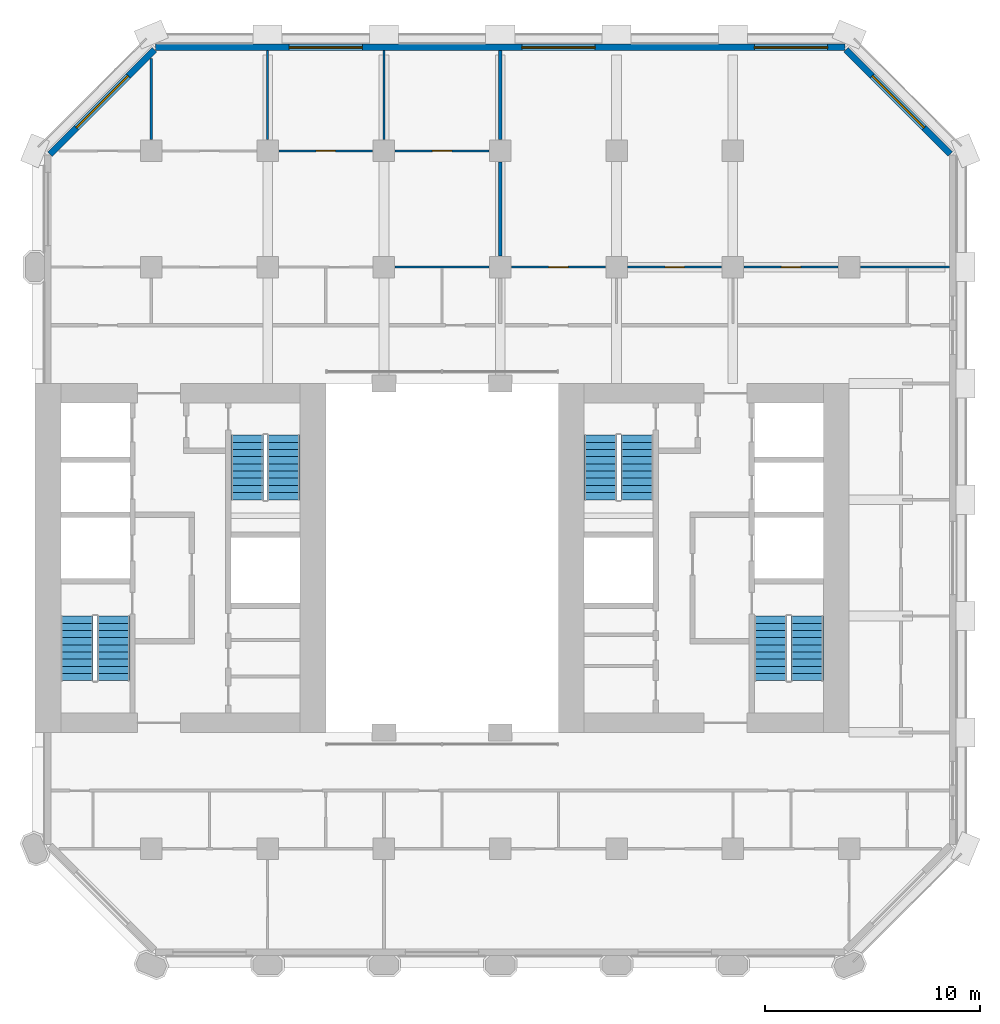
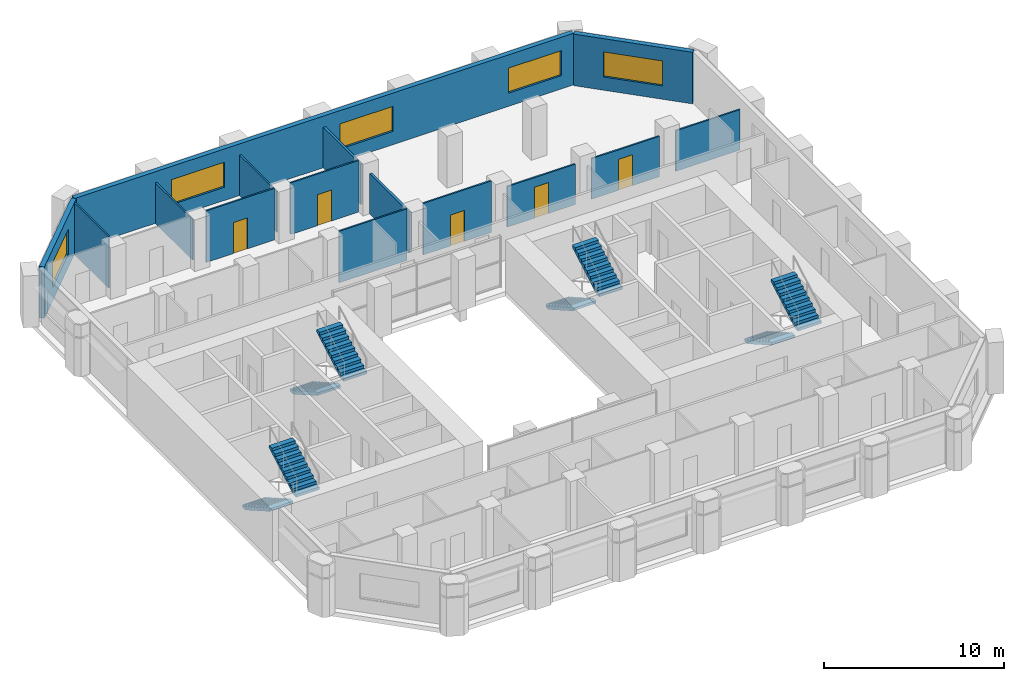
# One storey, part 7 of 10: 15 walls, 8 stair flights, 5 doors, 5 windows, 10 openings, 4 elements without a shape of their own.
"""IFC4 building model written with IfcOpenShell, lengths in metres."""

from ifc_helpers import new_model, si_unit, direction, frame, frame_2d, origin, place, context, subcontext, project, spatial, polyline, rectangle, outline, extrude, material, layer, layer_set, type_object, element, fill, aggregate, save


model = new_model("IFC4")

# Units and contexts
model_context = context("Model", 3, precision=1e-05, world=origin(), true_north=direction((0.0, 1.0)))
body_context = subcontext(model_context, "Body", "Model", "MODEL_VIEW")
ifc_project = project(units=[si_unit("LENGTHUNIT", "METRE"), si_unit("AREAUNIT", "SQUARE_METRE"), si_unit("VOLUMEUNIT", "CUBIC_METRE"), si_unit("PLANEANGLEUNIT", "RADIAN"), si_unit("MASSUNIT", "GRAM", prefix="KILO")], contexts=[model_context])

# Site, building, storey
site_placement = place(None, origin())
site = spatial("IfcSite", under=ifc_project, at=site_placement, CompositionType="ELEMENT")
building_placement = place(site_placement, origin())
building = spatial("IfcBuilding", under=site, at=building_placement, Name="Tabaq Tower and Sports Hall", CompositionType="ELEMENT")
storey_placement = place(building_placement, frame((0.0, 0.0, 87.800048828125)))
storey = spatial("IfcBuildingStorey", under=building, at=storey_placement, Name="L20", CompositionType="ELEMENT", Elevation=87.800048828125)

# Wall
ifc_material_1 = material(Name="Gypsum board on steel studs", Category="steel")
ifc_layer_1 = layer(ifc_material_1, 0.10009765625)
ifc_layer_set_1 = layer_set([ifc_layer_1], Name="Partition 100 Gypsum board")
wall_type_1 = type_object("IfcWallType", Name="Partition 100 Gypsum board", PredefinedType="PARTITIONING", material=ifc_layer_set_1)
wall_1_placement = place(storey_placement, frame((26.47998046875, 37.800048828125, 0.0), z_axis=(0.0, 0.0, 1.0), x_axis=(-1.0, 0.0, 0.0)))
element("IfcWall", 1, at=wall_1_placement, inside=storey, type_object=wall_type_1, Name="Partition wall L20", PredefinedType="PARTITIONING", context=body_context, shape_type="SweptSolid", body=[
    extrude(rectangle(XDim=4.35986328125, YDim=0.10009765625, at=frame_2d((2.179931640625, 0.0))), origin(), (0.0, 0.0, 1.0), 3.5),
])

# Wall, opening, door
wall_2_placement = place(storey_placement, frame((26.47998046875, 43.199951171875, 0.0), z_axis=(0.0, 0.0, 1.0), x_axis=(-1.0, 0.0, 0.0)))
wall_2 = element("IfcWall", 2, at=wall_2_placement, inside=storey, type_object=wall_type_1, Name="Partition wall L20", PredefinedType="PARTITIONING", context=body_context, shape_type="SweptSolid", body=[
    extrude(rectangle(XDim=4.35986328125, YDim=0.10009765625, at=frame_2d((2.179931640625, 0.0))), origin(), (0.0, 0.0, 1.0), 3.5),
])
opening_1_placement = place(wall_2_placement, frame((1.72998046875, 0.0, 0.0)))
opening_1 = element("IfcOpeningElement", 3, at=opening_1_placement, cuts=wall_2, Name="Opening L20-014", PredefinedType="OPENING", context=body_context, shape_type="SweptSolid", body=[
    extrude(rectangle(XDim=0.89990234375, YDim=2.10009765625, at=frame_2d((0.449951171875, 1.050048828125))), frame((0.0, 0.050048828125, 0.0), z_axis=(0.0, -1.0, 0.0), x_axis=(1.0, 0.0, 0.0)), (0.0, 0.0, 1.0), 0.10009765625),
])
ifc_material_2 = material(Name="Timber leaf in steel frame", Category="steel")
door_type_1 = type_object("IfcDoorType", Name="Internal door 900 right hand", OperationType="SINGLE_SWING_RIGHT", PredefinedType="DOOR", material=ifc_material_2)
door_1_placement = place(opening_1_placement, origin())
door_1 = element("IfcDoor", 4, at=door_1_placement, inside=storey, type_object=door_type_1, Name="Internal door L20-014", OperationType="SINGLE_SWING_RIGHT", OverallHeight=2.10009765625, OverallWidth=0.89990234375, PredefinedType="DOOR", context=body_context, shape_type="SweptSolid", body=[
    extrude(rectangle(XDim=0.89990234375, YDim=2.10009765625, at=frame_2d((0.449951171875, 1.050048828125))), frame((0.0, 0.02490234375, 0.0), z_axis=(0.0, -1.0, 0.0), x_axis=(1.0, 0.0, 0.0)), (0.0, 0.0, 1.0), 0.050048828125),
])
fill(opening_1, door_1)

wall_3_placement = place(storey_placement, frame((21.080078125, 43.199951171875, 0.0), z_axis=(0.0, 0.0, 1.0), x_axis=(-1.0, 0.0, 0.0)))
wall_3 = element("IfcWall", 5, at=wall_3_placement, inside=storey, type_object=wall_type_1, Name="Partition wall L20", PredefinedType="PARTITIONING", context=body_context, shape_type="SweptSolid", body=[
    extrude(rectangle(XDim=4.360107421875, YDim=0.10009765625, at=frame_2d((2.18017578125, 0.0))), origin(), (0.0, 0.0, 1.0), 3.5),
])
opening_2_placement = place(wall_3_placement, frame((1.72998046875, 0.0, 0.0)))
opening_2 = element("IfcOpeningElement", 6, at=opening_2_placement, cuts=wall_3, Name="Opening L20-013", PredefinedType="OPENING", context=body_context, shape_type="SweptSolid", body=[
    extrude(rectangle(XDim=0.89990234375, YDim=2.10009765625, at=frame_2d((0.449951171875, 1.050048828125))), frame((0.0, 0.050048828125, 0.0), z_axis=(0.0, -1.0, 0.0), x_axis=(1.0, 0.0, 0.0)), (0.0, 0.0, 1.0), 0.10009765625),
])
door_2_placement = place(opening_2_placement, origin())
door_2 = element("IfcDoor", 7, at=door_2_placement, inside=storey, type_object=door_type_1, Name="Internal door L20-013", OperationType="SINGLE_SWING_RIGHT", OverallHeight=2.10009765625, OverallWidth=0.89990234375, PredefinedType="DOOR", context=body_context, shape_type="SweptSolid", body=[
    extrude(rectangle(XDim=0.89990234375, YDim=2.10009765625, at=frame_2d((0.449951171875, 1.050048828125))), frame((0.0, 0.02490234375, 0.0), z_axis=(0.0, -1.0, 0.0), x_axis=(1.0, 0.0, 0.0)), (0.0, 0.0, 1.0), 0.050048828125),
])
fill(opening_2, door_2)

# Walls
wall_4_placement = place(storey_placement, frame((10.800048828125, 43.719970703125, 0.0), z_axis=(0.0, 0.0, 1.0), x_axis=(0.0, 1.0, 0.0)))
element("IfcWall", 8, at=wall_4_placement, inside=storey, type_object=wall_type_1, Name="Partition wall L20", PredefinedType="PARTITIONING", context=body_context, shape_type="SweptSolid", body=[
    extrude(rectangle(XDim=3.767822265625, YDim=0.10009765625, at=frame_2d((1.8837890625, 0.0))), origin(), (0.0, 0.0, 1.0), 3.5),
])
for number, where, z_axis, x_axis, name in (
    (9, (16.199951171875, 43.719970703125, 0.0), (0.0, 0.0, 1.0), (0.0, 1.0, 0.0), "Partition wall L20"),
    (10, (21.60009765625, 43.719970703125, 0.0), (0.0, 0.0, 1.0), (0.0, 1.0, 0.0), "Partition wall L20"),
):
    element("IfcWall", number, at=place(storey_placement, frame(where, z_axis=z_axis, x_axis=x_axis)), inside=storey, type_object=wall_type_1, Name=name, PredefinedType="PARTITIONING", context=body_context, shape_type="SweptSolid", body=[
        extrude(rectangle(XDim=4.129150390625, YDim=0.10009765625, at=frame_2d((2.064453125, 0.0))), origin(), (0.0, 0.0, 1.0), 2.75),
    ])

# Wall, opening, door
wall_5_placement = place(storey_placement, frame((31.8798828125, 37.800048828125, 0.0), z_axis=(0.0, 0.0, 1.0), x_axis=(-1.0, 0.0, 0.0)))
wall_5 = element("IfcWall", 11, at=wall_5_placement, inside=storey, type_object=wall_type_1, Name="Partition wall L20", PredefinedType="PARTITIONING", context=body_context, shape_type="SweptSolid", body=[
    extrude(rectangle(XDim=4.35986328125, YDim=0.10009765625, at=frame_2d((2.179931640625, 0.0))), origin(), (0.0, 0.0, 1.0), 3.5),
])
opening_3_placement = place(wall_5_placement, frame((1.72998046875, 0.0, 0.0)))
opening_3 = element("IfcOpeningElement", 12, at=opening_3_placement, cuts=wall_5, Name="Opening L20-027", PredefinedType="OPENING", context=body_context, shape_type="SweptSolid", body=[
    extrude(rectangle(XDim=0.89990234375, YDim=2.10009765625, at=frame_2d((0.449951171875, 1.050048828125))), frame((0.0, 0.050048828125, 0.0), z_axis=(0.0, -1.0, 0.0), x_axis=(1.0, 0.0, 0.0)), (0.0, 0.0, 1.0), 0.10009765625),
])
door_3_placement = place(opening_3_placement, origin())
door_3 = element("IfcDoor", 13, at=door_3_placement, inside=storey, type_object=door_type_1, Name="Internal door L20-027", OperationType="SINGLE_SWING_RIGHT", OverallHeight=2.10009765625, OverallWidth=0.89990234375, PredefinedType="DOOR", context=body_context, shape_type="SweptSolid", body=[
    extrude(rectangle(XDim=0.89990234375, YDim=2.10009765625, at=frame_2d((0.449951171875, 1.050048828125))), frame((0.0, 0.02490234375, 0.0), z_axis=(0.0, -1.0, 0.0), x_axis=(1.0, 0.0, 0.0)), (0.0, 0.0, 1.0), 0.050048828125),
])
fill(opening_3, door_3)

wall_6_placement = place(storey_placement, frame((37.280029296875, 37.800048828125, 0.0), z_axis=(0.0, 0.0, 1.0), x_axis=(-1.0, 0.0, 0.0)))
wall_6 = element("IfcWall", 14, at=wall_6_placement, inside=storey, type_object=wall_type_1, Name="Partition wall L20", PredefinedType="PARTITIONING", context=body_context, shape_type="SweptSolid", body=[
    extrude(rectangle(XDim=4.360107421875, YDim=0.10009765625, at=frame_2d((2.18017578125, 0.0))), origin(), (0.0, 0.0, 1.0), 2.75),
])
opening_4_placement = place(wall_6_placement, frame((1.72998046875, 0.0, 0.0)))
opening_4 = element("IfcOpeningElement", 15, at=opening_4_placement, cuts=wall_6, Name="Opening L20-015", PredefinedType="OPENING", context=body_context, shape_type="SweptSolid", body=[
    extrude(rectangle(XDim=0.89990234375, YDim=2.10009765625, at=frame_2d((0.449951171875, 1.050048828125))), frame((0.0, 0.050048828125, 0.0), z_axis=(0.0, -1.0, 0.0), x_axis=(1.0, 0.0, 0.0)), (0.0, 0.0, 1.0), 0.10009765625),
])
ifc_material_3 = material(Name="Timber leaf in steel frame", Category="steel")
door_type_2 = type_object("IfcDoorType", Name="Internal door 900 left hand", OperationType="SINGLE_SWING_LEFT", PredefinedType="DOOR", material=ifc_material_3)
door_4_placement = place(opening_4_placement, origin())
door_4 = element("IfcDoor", 16, at=door_4_placement, inside=storey, type_object=door_type_2, Name="Internal door L20-015", OperationType="SINGLE_SWING_LEFT", OverallHeight=2.10009765625, OverallWidth=0.89990234375, PredefinedType="DOOR", context=body_context, shape_type="SweptSolid", body=[
    extrude(rectangle(XDim=0.89990234375, YDim=2.10009765625, at=frame_2d((0.449951171875, 1.050048828125))), frame((0.0, 0.02490234375, 0.0), z_axis=(0.0, -1.0, 0.0), x_axis=(1.0, 0.0, 0.0)), (0.0, 0.0, 1.0), 0.050048828125),
])
fill(opening_4, door_4)

wall_7_placement = place(storey_placement, frame((42.679931640625, 37.800048828125, 0.0), z_axis=(0.0, 0.0, 1.0), x_axis=(-1.0, 0.0, 0.0)))
wall_7 = element("IfcWall", 17, at=wall_7_placement, inside=storey, type_object=wall_type_1, Name="Partition wall L20", PredefinedType="PARTITIONING", context=body_context, shape_type="SweptSolid", body=[
    extrude(rectangle(XDim=4.35986328125, YDim=0.10009765625, at=frame_2d((2.179931640625, 0.0))), origin(), (0.0, 0.0, 1.0), 2.75),
])
opening_5_placement = place(wall_7_placement, frame((1.72998046875, 0.0, 0.0)))
opening_5 = element("IfcOpeningElement", 18, at=opening_5_placement, cuts=wall_7, Name="Opening L20-016", PredefinedType="OPENING", context=body_context, shape_type="SweptSolid", body=[
    extrude(rectangle(XDim=0.89990234375, YDim=2.10009765625, at=frame_2d((0.449951171875, 1.050048828125))), frame((0.0, 0.050048828125, 0.0), z_axis=(0.0, -1.0, 0.0), x_axis=(1.0, 0.0, 0.0)), (0.0, 0.0, 1.0), 0.10009765625),
])
door_5_placement = place(opening_5_placement, origin())
door_5 = element("IfcDoor", 19, at=door_5_placement, inside=storey, type_object=door_type_2, Name="Internal door L20-016", OperationType="SINGLE_SWING_LEFT", OverallHeight=2.10009765625, OverallWidth=0.89990234375, PredefinedType="DOOR", context=body_context, shape_type="SweptSolid", body=[
    extrude(rectangle(XDim=0.89990234375, YDim=2.10009765625, at=frame_2d((0.449951171875, 1.050048828125))), frame((0.0, 0.02490234375, 0.0), z_axis=(0.0, -1.0, 0.0), x_axis=(1.0, 0.0, 0.0)), (0.0, 0.0, 1.0), 0.050048828125),
])
fill(opening_5, door_5)

# Walls
wall_8_placement = place(storey_placement, frame((47.84912109375, 37.800048828125, 0.0), z_axis=(0.0, 0.0, 1.0), x_axis=(-1.0, 0.0, 0.0)))
element("IfcWall", 20, at=wall_8_placement, inside=storey, type_object=wall_type_1, Name="Partition wall L20", PredefinedType="PARTITIONING", context=body_context, shape_type="SweptSolid", body=[
    extrude(rectangle(XDim=4.129150390625, YDim=0.10009765625, at=frame_2d((2.064453125, 0.0))), origin(), (0.0, 0.0, 1.0), 2.75),
])
ifc_material_4 = material(Name="Blockwork", Category="masonry")
ifc_layer_2 = layer(ifc_material_4, 0.14990234375)
ifc_layer_set_2 = layer_set([ifc_layer_2], Name="Separating wall 150 Blockwork")
wall_type_2 = type_object("IfcWallType", Name="Separating wall 150 Blockwork", PredefinedType="PARTITIONING", material=ifc_layer_set_2)
wall_9_placement = place(storey_placement, frame((27.0, 38.320068359375, 0.0), z_axis=(0.0, 0.0, 1.0), x_axis=(0.0, 1.0, 0.0)))
element("IfcWall", 21, at=wall_9_placement, inside=storey, type_object=wall_type_2, Name="Separating wall L20", PredefinedType="PARTITIONING", context=body_context, shape_type="SweptSolid", body=[
    extrude(rectangle(XDim=4.35986328125, YDim=0.14990234375, at=frame_2d((2.179931640625, 0.0))), origin(), (0.0, 0.0, 1.0), 2.75),
])
wall_10_placement = place(storey_placement, frame((27.0, 43.719970703125, 0.0), z_axis=(0.0, 0.0, 1.0), x_axis=(0.0, 1.0, 0.0)))
element("IfcWall", 22, at=wall_10_placement, inside=storey, type_object=wall_type_2, Name="Separating wall L20", PredefinedType="PARTITIONING", context=body_context, shape_type="SweptSolid", body=[
    extrude(rectangle(XDim=4.129150390625, YDim=0.14990234375, at=frame_2d((2.064453125, 0.0))), origin(), (0.0, 0.0, 1.0), 2.75),
])

# Wall, opening, window
ifc_material_5 = material(Name="White precast concrete C60/75", Category="concrete")
ifc_layer_3 = layer(ifc_material_5, 0.300048828125)
ifc_layer_set_3 = layer_set([ifc_layer_3], Name="White precast concrete C60/75 external wall 300")
wall_type_3 = type_object("IfcWallType", Name="White precast concrete C60/75 external wall 300", PredefinedType="SOLIDWALL", material=ifc_layer_set_3)
wall_11_placement = place(storey_placement, frame((47.901123046875, 43.050537109375, 0.0), z_axis=(0.0, 0.0, 1.0), x_axis=(-0.707106781187, 0.707106781187, 0.0)))
wall_11 = element("IfcWall", 23, at=wall_11_placement, inside=storey, type_object=wall_type_3, Name="External Wall L20 NE", PredefinedType="SOLIDWALL", context=body_context, shape_type="SweptSolid", body=[
    extrude(rectangle(XDim=6.85986328125, YDim=0.300048828125, at=frame_2d((3.429931640625, 0.0))), origin(), (0.0, 0.0, 1.0), 3.5),
])
opening_6_placement = place(wall_11_placement, frame((1.729736328125, 0.0, 0.89990234375)))
opening_6 = element("IfcOpeningElement", 24, at=opening_6_placement, cuts=wall_11, Name="Opening W1A", PredefinedType="OPENING", context=body_context, shape_type="SweptSolid", body=[
    extrude(rectangle(XDim=3.39990234375, YDim=1.699951171875, at=frame_2d((1.699951171875, 0.85009765625))), frame((0.0, 0.16015625, 0.0), z_axis=(0.0, -1.0, 0.0), x_axis=(1.0, 0.0, 0.0)), (0.0, 0.0, 1.0), 0.320068359375),
])
ifc_material_6 = material(Name="Aluminium framed clear glazing", Category="aluminium")
window_type = type_object("IfcWindowType", Name="Window W1A", PartitioningType="SINGLE_PANEL", PredefinedType="WINDOW", material=ifc_material_6)
window_1_placement = place(opening_6_placement, origin())
window_1 = element("IfcWindow", 25, at=window_1_placement, inside=storey, type_object=window_type, Name="Window W1A L20", OverallHeight=1.699951171875, OverallWidth=3.39990234375, PartitioningType="SINGLE_PANEL", PredefinedType="WINDOW", context=body_context, shape_type="SweptSolid", body=[
    extrude(rectangle(XDim=3.39990234375, YDim=1.699951171875, at=frame_2d((1.699951171875, 0.85009765625))), frame((0.0, 0.030029296875, 0.0), z_axis=(0.0, -1.0, 0.0), x_axis=(1.0, 0.0, 0.0)), (0.0, 0.0, 1.0), 0.06005859375),
])
fill(opening_6, window_1)

# Wall, openings, windows
wall_12_placement = place(storey_placement, frame((43.013671875, 48.0, 0.0), z_axis=(0.0, 0.0, 1.0), x_axis=(-1.0, 0.0, 0.0)))
wall_12 = element("IfcWall", 26, at=wall_12_placement, inside=storey, type_object=wall_type_3, Name="External Wall L20 N", PredefinedType="SOLIDWALL", context=body_context, shape_type="SweptSolid", body=[
    extrude(rectangle(XDim=32.02734375, YDim=0.300048828125, at=frame_2d((16.013671875, 0.0))), origin(), (0.0, 0.0, 1.0), 3.5),
])
opening_7_placement = place(wall_12_placement, frame((0.813720703125, 0.0, 0.89990234375)))
opening_7 = element("IfcOpeningElement", 27, at=opening_7_placement, cuts=wall_12, Name="Opening W1A", PredefinedType="OPENING", context=body_context, shape_type="SweptSolid", body=[
    extrude(rectangle(XDim=3.39990234375, YDim=1.699951171875, at=frame_2d((1.699951171875, 0.85009765625))), frame((0.0, 0.16015625, 0.0), z_axis=(0.0, -1.0, 0.0), x_axis=(1.0, 0.0, 0.0)), (0.0, 0.0, 1.0), 0.320068359375),
])
opening_8_placement = place(wall_12_placement, frame((11.613525390625, 0.0, 0.89990234375)))
opening_8 = element("IfcOpeningElement", 28, at=opening_8_placement, cuts=wall_12, Name="Opening W1A", PredefinedType="OPENING", context=body_context, shape_type="SweptSolid", body=[
    extrude(rectangle(XDim=3.39990234375, YDim=1.699951171875, at=frame_2d((1.699951171875, 0.85009765625))), frame((0.0, 0.16015625, 0.0), z_axis=(0.0, -1.0, 0.0), x_axis=(1.0, 0.0, 0.0)), (0.0, 0.0, 1.0), 0.320068359375),
])
opening_9_placement = place(wall_12_placement, frame((22.41357421875, 0.0, 0.89990234375)))
opening_9 = element("IfcOpeningElement", 29, at=opening_9_placement, cuts=wall_12, Name="Opening W1A", PredefinedType="OPENING", context=body_context, shape_type="SweptSolid", body=[
    extrude(rectangle(XDim=3.39990234375, YDim=1.699951171875, at=frame_2d((1.699951171875, 0.85009765625))), frame((0.0, 0.16015625, 0.0), z_axis=(0.0, -1.0, 0.0), x_axis=(1.0, 0.0, 0.0)), (0.0, 0.0, 1.0), 0.320068359375),
])
window_2_placement = place(opening_7_placement, origin())
window_2 = element("IfcWindow", 30, at=window_2_placement, inside=storey, type_object=window_type, Name="Window W1A L20", OverallHeight=1.699951171875, OverallWidth=3.39990234375, PartitioningType="SINGLE_PANEL", PredefinedType="WINDOW", context=body_context, shape_type="SweptSolid", body=[
    extrude(rectangle(XDim=3.39990234375, YDim=1.699951171875, at=frame_2d((1.699951171875, 0.85009765625))), frame((0.0, 0.030029296875, 0.0), z_axis=(0.0, -1.0, 0.0), x_axis=(1.0, 0.0, 0.0)), (0.0, 0.0, 1.0), 0.06005859375),
])
fill(opening_7, window_2)
window_3_placement = place(opening_8_placement, origin())
window_3 = element("IfcWindow", 31, at=window_3_placement, inside=storey, type_object=window_type, Name="Window W1A L20", OverallHeight=1.699951171875, OverallWidth=3.39990234375, PartitioningType="SINGLE_PANEL", PredefinedType="WINDOW", context=body_context, shape_type="SweptSolid", body=[
    extrude(rectangle(XDim=3.39990234375, YDim=1.699951171875, at=frame_2d((1.699951171875, 0.85009765625))), frame((0.0, 0.030029296875, 0.0), z_axis=(0.0, -1.0, 0.0), x_axis=(1.0, 0.0, 0.0)), (0.0, 0.0, 1.0), 0.06005859375),
])
fill(opening_8, window_3)
window_4_placement = place(opening_9_placement, origin())
window_4 = element("IfcWindow", 32, at=window_4_placement, inside=storey, type_object=window_type, Name="Window W1A L20", OverallHeight=1.699951171875, OverallWidth=3.39990234375, PartitioningType="SINGLE_PANEL", PredefinedType="WINDOW", context=body_context, shape_type="SweptSolid", body=[
    extrude(rectangle(XDim=3.39990234375, YDim=1.699951171875, at=frame_2d((1.699951171875, 0.85009765625))), frame((0.0, 0.030029296875, 0.0), z_axis=(0.0, -1.0, 0.0), x_axis=(1.0, 0.0, 0.0)), (0.0, 0.0, 1.0), 0.06005859375),
])
fill(opening_9, window_4)

# Wall, opening, window
wall_13_placement = place(storey_placement, frame((10.949462890625, 47.901123046875, 0.0), z_axis=(0.0, 0.0, 1.0), x_axis=(-0.707106781187, -0.707106781187, 0.0)))
wall_13 = element("IfcWall", 33, at=wall_13_placement, inside=storey, type_object=wall_type_3, Name="External Wall L20 NW", PredefinedType="SOLIDWALL", context=body_context, shape_type="SweptSolid", body=[
    extrude(rectangle(XDim=6.85986328125, YDim=0.300048828125, at=frame_2d((3.429931640625, 0.0))), origin(), (0.0, 0.0, 1.0), 3.5),
])
opening_10_placement = place(wall_13_placement, frame((1.729736328125, 0.0, 0.89990234375)))
opening_10 = element("IfcOpeningElement", 34, at=opening_10_placement, cuts=wall_13, Name="Opening W1A", PredefinedType="OPENING", context=body_context, shape_type="SweptSolid", body=[
    extrude(rectangle(XDim=3.39990234375, YDim=1.699951171875, at=frame_2d((1.699951171875, 0.85009765625))), frame((0.0, 0.16015625, 0.0), z_axis=(0.0, -1.0, 0.0), x_axis=(1.0, 0.0, 0.0)), (0.0, 0.0, 1.0), 0.320068359375),
])
window_5_placement = place(opening_10_placement, origin())
window_5 = element("IfcWindow", 35, at=window_5_placement, inside=storey, type_object=window_type, Name="Window W1A L20", OverallHeight=1.699951171875, OverallWidth=3.39990234375, PartitioningType="SINGLE_PANEL", PredefinedType="WINDOW", context=body_context, shape_type="SweptSolid", body=[
    extrude(rectangle(XDim=3.39990234375, YDim=1.699951171875, at=frame_2d((1.699951171875, 0.85009765625))), frame((0.0, 0.030029296875, 0.0), z_axis=(0.0, -1.0, 0.0), x_axis=(1.0, 0.0, 0.0)), (0.0, 0.0, 1.0), 0.06005859375),
])
fill(opening_10, window_5)

# Stair, stair flights
ifc_material_7 = material(Name="Concrete C40/50", Category="concrete")
stair_type = type_object("IfcStairType", Name="Exit stair", PredefinedType="HALF_TURN_STAIR", material=ifc_material_7)
stair_1_placement = place(storey_placement, origin())
stair_1 = element("IfcStair", 36, at=stair_1_placement, inside=storey, type_object=stair_type, Name="L20 Exit stair ST1", PredefinedType="HALF_TURN_STAIR")
ifc_material_8 = material(Name="Concrete C40/50", Category="concrete")
stair_flight_type = type_object("IfcStairFlightType", Name="Exit stair flight", PredefinedType="STRAIGHT", material=ifc_material_8)
stair_flight_1_placement = place(storey_placement, frame((7.35009765625, 21.60009765625, 0.0), z_axis=(0.0, 0.0, 1.0), x_axis=(0.0, -1.0, 0.0)))
stair_flight_1 = element("IfcStairFlight", 37, at=stair_flight_1_placement, type_object=stair_flight_type, Name="ST1 flight 1", NumberOfRisers=10, NumberOfTreads=9, PredefinedType="STRAIGHT", RiserHeight=0.19, TreadLength=0.333333333, context=body_context, shape_type="SweptSolid", body=[
    extrude(outline(polyline([(0.0, 0.0), (0.0, 0.18994140625), (0.333251953125, 0.18994140625), (0.333251953125, 0.3798828125), (0.666748046875, 0.3798828125), (0.666748046875, 0.570068359375), (1.0, 0.570068359375), (1.0, 0.760009765625), (1.333251953125, 0.760009765625), (1.333251953125, 0.949951171875), (1.666748046875, 0.949951171875), (1.666748046875, 1.139892578125), (2.0, 1.139892578125), (2.0, 1.330078125), (2.333251953125, 1.330078125), (2.333251953125, 1.52001953125), (2.666748046875, 1.52001953125), (2.666748046875, 1.7099609375), (3.0, 1.7099609375), (3.0, 1.89990234375), (3.0, 1.537353515625), (0.302734375, 0.0), (0.0, 0.0)])), frame((0.0, 0.75, 0.0), z_axis=(0.0, -1.0, 0.0), x_axis=(1.0, 0.0, 0.0)), (0.0, 0.0, 1.0), 1.5),
])
stair_flight_2_placement = place(storey_placement, frame((9.050048828125, 18.60009765625, 1.89990234375), z_axis=(0.0, 0.0, 1.0), x_axis=(0.0, 1.0, 0.0)))
stair_flight_2 = element("IfcStairFlight", 38, at=stair_flight_2_placement, type_object=stair_flight_type, Name="ST1 flight 2", NumberOfRisers=10, NumberOfTreads=9, PredefinedType="STRAIGHT", RiserHeight=0.19, TreadLength=0.333333333, context=body_context, shape_type="SweptSolid", body=[
    extrude(outline(polyline([(0.0, 0.0), (0.0, 0.18994140625), (0.333251953125, 0.18994140625), (0.333251953125, 0.3798828125), (0.666748046875, 0.3798828125), (0.666748046875, 0.570068359375), (1.0, 0.570068359375), (1.0, 0.760009765625), (1.333251953125, 0.760009765625), (1.333251953125, 0.949951171875), (1.666748046875, 0.949951171875), (1.666748046875, 1.139892578125), (2.0, 1.139892578125), (2.0, 1.330078125), (2.333251953125, 1.330078125), (2.333251953125, 1.52001953125), (2.666748046875, 1.52001953125), (2.666748046875, 1.7099609375), (3.0, 1.7099609375), (3.0, 1.89990234375), (3.0, 1.537353515625), (0.302734375, 0.0), (0.0, 0.0)])), frame((0.0, 0.75, 0.0), z_axis=(0.0, -1.0, 0.0), x_axis=(1.0, 0.0, 0.0)), (0.0, 0.0, 1.0), 1.5),
])
aggregate(stair_1, [stair_flight_1, stair_flight_2])

stair_2_placement = place(storey_placement, origin())
stair_2 = element("IfcStair", 39, at=stair_2_placement, inside=storey, type_object=stair_type, Name="L20 Exit stair ST2", PredefinedType="HALF_TURN_STAIR")
stair_flight_3_placement = place(storey_placement, frame((15.25, 30.0, 0.0), z_axis=(0.0, 0.0, 1.0), x_axis=(0.0, -1.0, 0.0)))
stair_flight_3 = element("IfcStairFlight", 40, at=stair_flight_3_placement, type_object=stair_flight_type, Name="ST2 flight 1", NumberOfRisers=10, NumberOfTreads=9, PredefinedType="STRAIGHT", RiserHeight=0.19, TreadLength=0.333333333, context=body_context, shape_type="SweptSolid", body=[
    extrude(outline(polyline([(0.0, 0.0), (0.0, 0.18994140625), (0.333251953125, 0.18994140625), (0.333251953125, 0.3798828125), (0.666748046875, 0.3798828125), (0.666748046875, 0.570068359375), (1.0, 0.570068359375), (1.0, 0.760009765625), (1.333251953125, 0.760009765625), (1.333251953125, 0.949951171875), (1.666748046875, 0.949951171875), (1.666748046875, 1.139892578125), (2.0, 1.139892578125), (2.0, 1.330078125), (2.333251953125, 1.330078125), (2.333251953125, 1.52001953125), (2.666748046875, 1.52001953125), (2.666748046875, 1.7099609375), (3.0, 1.7099609375), (3.0, 1.89990234375), (3.0, 1.537353515625), (0.302734375, 0.0), (0.0, 0.0)])), frame((0.0, 0.75, 0.0), z_axis=(0.0, -1.0, 0.0), x_axis=(1.0, 0.0, 0.0)), (0.0, 0.0, 1.0), 1.5),
])
stair_flight_4_placement = place(storey_placement, frame((16.949951171875, 27.0, 1.89990234375), z_axis=(0.0, 0.0, 1.0), x_axis=(0.0, 1.0, 0.0)))
stair_flight_4 = element("IfcStairFlight", 41, at=stair_flight_4_placement, type_object=stair_flight_type, Name="ST2 flight 2", NumberOfRisers=10, NumberOfTreads=9, PredefinedType="STRAIGHT", RiserHeight=0.19, TreadLength=0.333333333, context=body_context, shape_type="SweptSolid", body=[
    extrude(outline(polyline([(0.0, 0.0), (0.0, 0.18994140625), (0.333251953125, 0.18994140625), (0.333251953125, 0.3798828125), (0.666748046875, 0.3798828125), (0.666748046875, 0.570068359375), (1.0, 0.570068359375), (1.0, 0.760009765625), (1.333251953125, 0.760009765625), (1.333251953125, 0.949951171875), (1.666748046875, 0.949951171875), (1.666748046875, 1.139892578125), (2.0, 1.139892578125), (2.0, 1.330078125), (2.333251953125, 1.330078125), (2.333251953125, 1.52001953125), (2.666748046875, 1.52001953125), (2.666748046875, 1.7099609375), (3.0, 1.7099609375), (3.0, 1.89990234375), (3.0, 1.537353515625), (0.302734375, 0.0), (0.0, 0.0)])), frame((0.0, 0.75, 0.0), z_axis=(0.0, -1.0, 0.0), x_axis=(1.0, 0.0, 0.0)), (0.0, 0.0, 1.0), 1.5),
])
aggregate(stair_2, [stair_flight_3, stair_flight_4])

stair_3_placement = place(storey_placement, origin())
stair_3 = element("IfcStair", 42, at=stair_3_placement, inside=storey, type_object=stair_type, Name="L20 Exit stair ST3", PredefinedType="HALF_TURN_STAIR")
stair_flight_5_placement = place(storey_placement, frame((39.550048828125, 21.60009765625, 0.0), z_axis=(0.0, 0.0, 1.0), x_axis=(0.0, -1.0, 0.0)))
stair_flight_5 = element("IfcStairFlight", 43, at=stair_flight_5_placement, type_object=stair_flight_type, Name="ST3 flight 1", NumberOfRisers=10, NumberOfTreads=9, PredefinedType="STRAIGHT", RiserHeight=0.19, TreadLength=0.333333333, context=body_context, shape_type="SweptSolid", body=[
    extrude(outline(polyline([(0.0, 0.0), (0.0, 0.18994140625), (0.333251953125, 0.18994140625), (0.333251953125, 0.3798828125), (0.666748046875, 0.3798828125), (0.666748046875, 0.570068359375), (1.0, 0.570068359375), (1.0, 0.760009765625), (1.333251953125, 0.760009765625), (1.333251953125, 0.949951171875), (1.666748046875, 0.949951171875), (1.666748046875, 1.139892578125), (2.0, 1.139892578125), (2.0, 1.330078125), (2.333251953125, 1.330078125), (2.333251953125, 1.52001953125), (2.666748046875, 1.52001953125), (2.666748046875, 1.7099609375), (3.0, 1.7099609375), (3.0, 1.89990234375), (3.0, 1.537353515625), (0.302734375, 0.0), (0.0, 0.0)])), frame((0.0, 0.75, 0.0), z_axis=(0.0, -1.0, 0.0), x_axis=(1.0, 0.0, 0.0)), (0.0, 0.0, 1.0), 1.5),
])
stair_flight_6_placement = place(storey_placement, frame((41.25, 18.60009765625, 1.89990234375), z_axis=(0.0, 0.0, 1.0), x_axis=(0.0, 1.0, 0.0)))
stair_flight_6 = element("IfcStairFlight", 44, at=stair_flight_6_placement, type_object=stair_flight_type, Name="ST3 flight 2", NumberOfRisers=10, NumberOfTreads=9, PredefinedType="STRAIGHT", RiserHeight=0.19, TreadLength=0.333333333, context=body_context, shape_type="SweptSolid", body=[
    extrude(outline(polyline([(0.0, 0.0), (0.0, 0.18994140625), (0.333251953125, 0.18994140625), (0.333251953125, 0.3798828125), (0.666748046875, 0.3798828125), (0.666748046875, 0.570068359375), (1.0, 0.570068359375), (1.0, 0.760009765625), (1.333251953125, 0.760009765625), (1.333251953125, 0.949951171875), (1.666748046875, 0.949951171875), (1.666748046875, 1.139892578125), (2.0, 1.139892578125), (2.0, 1.330078125), (2.333251953125, 1.330078125), (2.333251953125, 1.52001953125), (2.666748046875, 1.52001953125), (2.666748046875, 1.7099609375), (3.0, 1.7099609375), (3.0, 1.89990234375), (3.0, 1.537353515625), (0.302734375, 0.0), (0.0, 0.0)])), frame((0.0, 0.75, 0.0), z_axis=(0.0, -1.0, 0.0), x_axis=(1.0, 0.0, 0.0)), (0.0, 0.0, 1.0), 1.5),
])
aggregate(stair_3, [stair_flight_5, stair_flight_6])

stair_4_placement = place(storey_placement, origin())
stair_4 = element("IfcStair", 45, at=stair_4_placement, inside=storey, type_object=stair_type, Name="L20 Exit stair ST4", PredefinedType="HALF_TURN_STAIR")
stair_flight_7_placement = place(storey_placement, frame((31.64990234375, 30.0, 0.0), z_axis=(0.0, 0.0, 1.0), x_axis=(0.0, -1.0, 0.0)))
stair_flight_7 = element("IfcStairFlight", 46, at=stair_flight_7_placement, type_object=stair_flight_type, Name="ST4 flight 1", NumberOfRisers=10, NumberOfTreads=9, PredefinedType="STRAIGHT", RiserHeight=0.19, TreadLength=0.333333333, context=body_context, shape_type="SweptSolid", body=[
    extrude(outline(polyline([(0.0, 0.0), (0.0, 0.18994140625), (0.333251953125, 0.18994140625), (0.333251953125, 0.3798828125), (0.666748046875, 0.3798828125), (0.666748046875, 0.570068359375), (1.0, 0.570068359375), (1.0, 0.760009765625), (1.333251953125, 0.760009765625), (1.333251953125, 0.949951171875), (1.666748046875, 0.949951171875), (1.666748046875, 1.139892578125), (2.0, 1.139892578125), (2.0, 1.330078125), (2.333251953125, 1.330078125), (2.333251953125, 1.52001953125), (2.666748046875, 1.52001953125), (2.666748046875, 1.7099609375), (3.0, 1.7099609375), (3.0, 1.89990234375), (3.0, 1.537353515625), (0.302734375, 0.0), (0.0, 0.0)])), frame((0.0, 0.75, 0.0), z_axis=(0.0, -1.0, 0.0), x_axis=(1.0, 0.0, 0.0)), (0.0, 0.0, 1.0), 1.5),
])
stair_flight_8_placement = place(storey_placement, frame((33.35009765625, 27.0, 1.89990234375), z_axis=(0.0, 0.0, 1.0), x_axis=(0.0, 1.0, 0.0)))
stair_flight_8 = element("IfcStairFlight", 47, at=stair_flight_8_placement, type_object=stair_flight_type, Name="ST4 flight 2", NumberOfRisers=10, NumberOfTreads=9, PredefinedType="STRAIGHT", RiserHeight=0.19, TreadLength=0.333333333, context=body_context, shape_type="SweptSolid", body=[
    extrude(outline(polyline([(0.0, 0.0), (0.0, 0.18994140625), (0.333251953125, 0.18994140625), (0.333251953125, 0.3798828125), (0.666748046875, 0.3798828125), (0.666748046875, 0.570068359375), (1.0, 0.570068359375), (1.0, 0.760009765625), (1.333251953125, 0.760009765625), (1.333251953125, 0.949951171875), (1.666748046875, 0.949951171875), (1.666748046875, 1.139892578125), (2.0, 1.139892578125), (2.0, 1.330078125), (2.333251953125, 1.330078125), (2.333251953125, 1.52001953125), (2.666748046875, 1.52001953125), (2.666748046875, 1.7099609375), (3.0, 1.7099609375), (3.0, 1.89990234375), (3.0, 1.537353515625), (0.302734375, 0.0), (0.0, 0.0)])), frame((0.0, 0.75, 0.0), z_axis=(0.0, -1.0, 0.0), x_axis=(1.0, 0.0, 0.0)), (0.0, 0.0, 1.0), 1.5),
])
aggregate(stair_4, [stair_flight_7, stair_flight_8])

save(model, "model.ifc")
